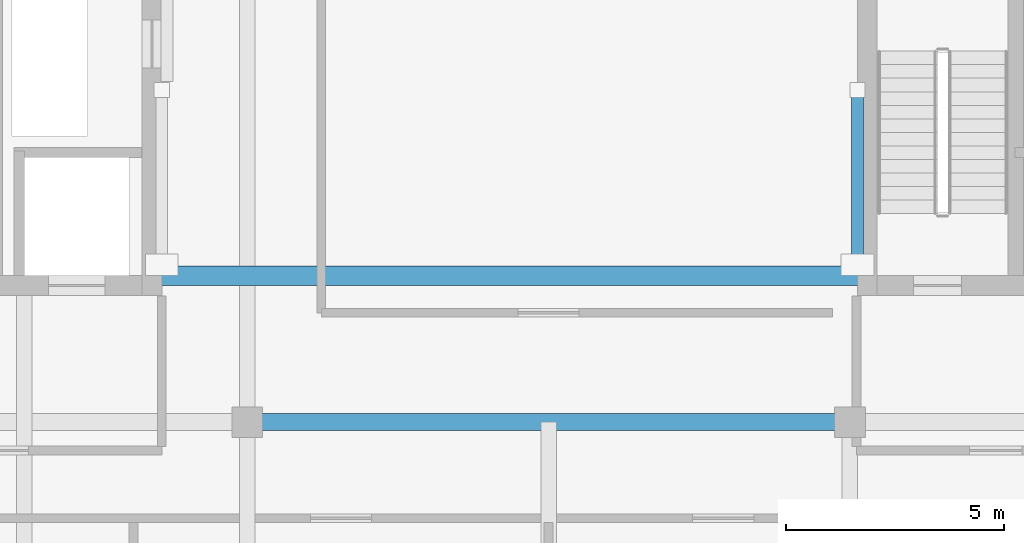
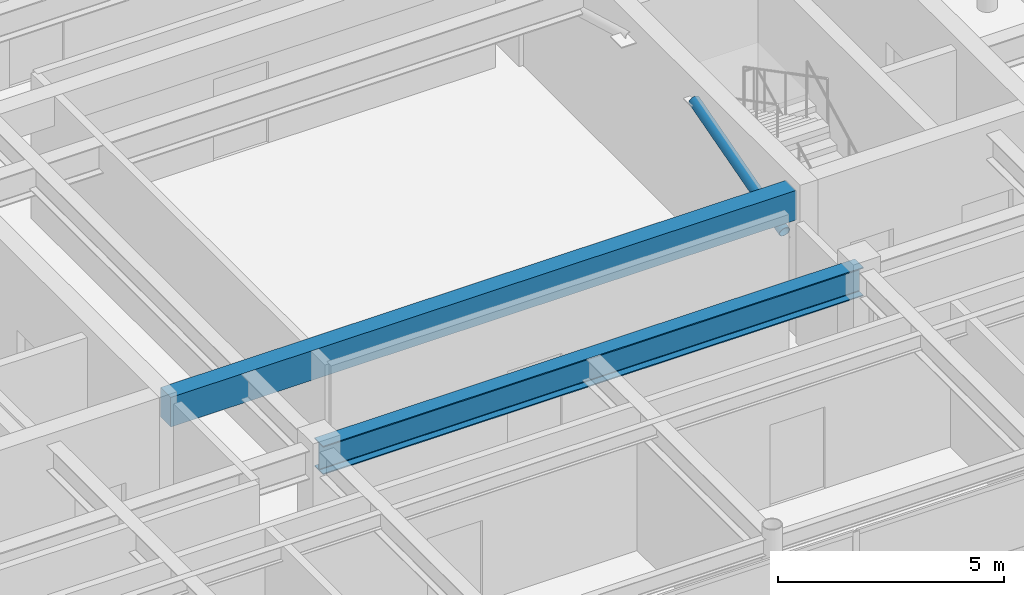
# One storey, part 10 of 32: 2 beams, 1 member.
"""IFC4 building model written with IfcOpenShell, lengths in metres."""

import ifcopenshell
import ifcopenshell.guid

model = None  # the IFC model being written
_history = None  # IfcOwnerHistory: only IFC2X3 demands one
_inside = {}  # id of a spatial element -> (the spatial element, [elements in it])
_under = {}  # id of a project, library or spatial element -> (it, [spatial elements below it])
_declared = {}  # id of a project -> (the project, [libraries it declares])
_typed = {}  # id of a type object -> (the type object, [elements of that type])
_made_of = {}  # id of a material, layer set ... -> (it, [elements and type objects made of it])


def new_model(schema):
    """Start an empty IFC model of exactly this schema.

    Asked for "IFC4X3", IfcOpenShell would pick the latest addendum, in which some entities
    have other attributes; the version numbers below select the first issue.
    IFC2X3 requires an IfcOwnerHistory on every rooted entity: one is made here for all.
    """
    global model, _history
    if schema == "IFC4X3":
        model = ifcopenshell.file(schema_version=(4, 3, 0, 0))
    else:
        model = ifcopenshell.file(schema=schema)
    _inside.clear()
    _under.clear()
    _declared.clear()
    _typed.clear()
    _made_of.clear()
    _history = None
    if model.schema == "IFC2X3":
        org = make("IfcOrganization", Name="unknown")
        user = make(
            "IfcPersonAndOrganization",
            ThePerson=make("IfcPerson", FamilyName="unknown"),
            TheOrganization=org,
        )
        app = make(
            "IfcApplication",
            ApplicationDeveloper=org,
            Version="unknown",
            ApplicationFullName="unknown",
            ApplicationIdentifier="unknown",
        )
        _history = make(
            "IfcOwnerHistory",
            OwningUser=user,
            OwningApplication=app,
            ChangeAction="ADDED",
            CreationDate=0,
        )
    return model


def make(cls, **values):
    """One entity of the class cls with the attributes given. An attribute that is None is left unset."""
    return model.create_entity(
        cls, **{name: value for name, value in values.items() if value is not None}
    )


def rooted(cls, **values):
    """An entity with a GlobalId (a new one), such as an element, a storey or a relation."""
    return make(cls, GlobalId=ifcopenshell.guid.new(), OwnerHistory=_history, **values)


def si_unit(unit_type, name, prefix=None):
    """IfcSIUnit, for example si_unit("LENGTHUNIT", "METRE", prefix="MILLI")."""
    return make("IfcSIUnit", UnitType=unit_type, Prefix=prefix, Name=name)


def assignment(units):
    """IfcUnitAssignment: the units of a project."""
    return None if units is None else make("IfcUnitAssignment", Units=units)


def point(xyz):
    """IfcCartesianPoint."""
    return None if xyz is None else make("IfcCartesianPoint", Coordinates=xyz)


def direction(xyz):
    """IfcDirection."""
    return None if xyz is None else make("IfcDirection", DirectionRatios=xyz)


def frame(location, z_axis=None, x_axis=None):
    """IfcAxis2Placement3D, a coordinate frame: its origin and axes. An axis left out is left unset."""
    return make(
        "IfcAxis2Placement3D",
        Location=point(location),
        Axis=direction(z_axis),
        RefDirection=direction(x_axis),
    )


def frame_2d(location, x_axis=None):
    """IfcAxis2Placement2D, a coordinate frame in the plane: its origin and x axis."""
    return make(
        "IfcAxis2Placement2D", Location=point(location), RefDirection=direction(x_axis)
    )


def origin():
    """The frame at (0, 0, 0) with its axes left unset."""
    return frame((0.0, 0.0, 0.0))


def origin_2d():
    """The frame at (0, 0) in the plane with its x axis left unset."""
    return frame_2d((0.0, 0.0))


def place(relative_to, where):
    """IfcLocalPlacement: puts the frame where relative to a parent placement (None: the world)."""
    return make(
        "IfcLocalPlacement", PlacementRelTo=relative_to, RelativePlacement=where
    )


def context(
    kind, dimensions, precision=None, world=None, true_north=None, identifier=None
):
    """IfcGeometricRepresentationContext, for example the 3D "Model" context."""
    return make(
        "IfcGeometricRepresentationContext",
        ContextIdentifier=identifier,
        ContextType=kind,
        CoordinateSpaceDimension=dimensions,
        Precision=precision,
        WorldCoordinateSystem=world,
        TrueNorth=true_north,
    )


def subcontext(parent, identifier, kind, view, scale=None):
    """IfcGeometricRepresentationSubContext, for example "Body" below "Model"."""
    return make(
        "IfcGeometricRepresentationSubContext",
        ContextIdentifier=identifier,
        ContextType=kind,
        ParentContext=parent,
        TargetScale=scale,
        TargetView=view,
    )


def project(units=None, contexts=None):
    """IfcProject with its units and contexts."""
    return rooted(
        "IfcProject",
        Name="project",
        RepresentationContexts=contexts,
        UnitsInContext=assignment(units),
    )


def spatial(cls, under=None, at=None, **own):
    """A site, building, storey or space (cls), placed at a placement, below another one or the project."""
    s = rooted(cls, ObjectPlacement=at, **own)
    if under is not None:
        _under.setdefault(under.id(), (under, []))[1].append(s)
    return s


def profile(cls, at=None, kind="AREA", **sizes):
    """A parametric profile (cls). Its sizes go by their IFC names, for example OverallWidth=200.0."""
    return make(cls, ProfileType=kind, Position=at, **sizes)


def rectangle(**sizes):
    """IfcRectangleProfileDef."""
    return profile("IfcRectangleProfileDef", **sizes)


def hollow_circle(**sizes):
    """IfcCircleHollowProfileDef."""
    return profile("IfcCircleHollowProfileDef", **sizes)


def i_section(**sizes):
    """IfcIShapeProfileDef."""
    return profile("IfcIShapeProfileDef", **sizes)


def extrude(swept, where, along, depth):
    """IfcExtrudedAreaSolid: the profile swept, set in the frame where, extruded along a direction by depth."""
    return make(
        "IfcExtrudedAreaSolid",
        SweptArea=swept,
        Position=where,
        ExtrudedDirection=direction(along),
        Depth=depth,
    )


def shape(context_of_items, identifier, shape_type, items):
    """IfcShapeRepresentation: the items that make up one representation, for example the "Body"."""
    return make(
        "IfcShapeRepresentation",
        ContextOfItems=context_of_items,
        RepresentationIdentifier=identifier,
        RepresentationType=shape_type,
        Items=items,
    )


def source(mapping_origin, context_of_items, identifier, shape_type, items):
    """IfcRepresentationMap: a shape defined once, which mapped items show again and again."""
    return make(
        "IfcRepresentationMap",
        MappingOrigin=mapping_origin,
        MappedRepresentation=shape(context_of_items, identifier, shape_type, items),
    )


def transform(
    local_origin,
    x_axis=None,
    y_axis=None,
    z_axis=None,
    scale=None,
    scale2=None,
    scale3=None,
    uniform=True,
):
    """IfcCartesianTransformationOperator3D, or its non-uniform kind. x_axis, y_axis, z_axis: its Axis1, 2, 3."""
    if uniform:
        return make(
            "IfcCartesianTransformationOperator3D",
            Axis1=direction(x_axis),
            Axis2=direction(y_axis),
            LocalOrigin=point(local_origin),
            Scale=scale,
            Axis3=direction(z_axis),
        )
    return make(
        "IfcCartesianTransformationOperator3DnonUniform",
        Axis1=direction(x_axis),
        Axis2=direction(y_axis),
        LocalOrigin=point(local_origin),
        Scale=scale,
        Axis3=direction(z_axis),
        Scale2=scale2,
        Scale3=scale3,
    )


def mapped(mapping_source, mapping_target):
    """IfcMappedItem: shows the shape of a source again, moved by a transform."""
    return make(
        "IfcMappedItem", MappingSource=mapping_source, MappingTarget=mapping_target
    )


def material(Name=None, Category=None):
    """IfcMaterial."""
    return make("IfcMaterial", Name=Name, Category=Category)


def material_profile(
    of_material, cross_section, Name=None, Category=None, Priority=None
):
    """IfcMaterialProfile: a cross section and its material."""
    return make(
        "IfcMaterialProfile",
        Name=Name,
        Material=of_material,
        Profile=cross_section,
        Priority=Priority,
        Category=Category,
    )


def profile_set(profiles, Name=None, composite=None):
    """IfcMaterialProfileSet."""
    return make(
        "IfcMaterialProfileSet",
        Name=Name,
        MaterialProfiles=profiles,
        CompositeProfile=composite,
    )


def made_of(thing, what):
    """Note that an element or type object is made of a material, layer set ...; save() writes the relation."""
    if what is not None:
        _made_of.setdefault(what.id(), (what, []))[1].append(thing)
    return thing


def type_object(cls, material=None, **own):
    """A type object (cls), such as IfcWallType, which elements share."""
    return made_of(rooted(cls, **own), material)


def element(
    cls,
    number,
    at=None,
    inside=None,
    cuts=None,
    type_object=None,
    material=None,
    context=None,
    identifier="Body",
    shape_type=None,
    held_by="IfcProductDefinitionShape",
    body=None,
    shapes=None,
    **own,
):
    """One element of the class cls, such as IfcWall. Its Tag is "e" and its number.

    at: its placement. inside: the storey or other place that contains it. cuts: it is an
    opening in that element (IfcRelVoidsElement). A single representation is given by context,
    identifier, shape_type and body (its items); several are given by shapes. held_by: the class
    of the entity that holds the representations. save() writes the other relations.
    """
    e = rooted(cls, Tag="e%d" % number, ObjectPlacement=at, **own)
    if body is not None:
        shapes = [shape(context, identifier, shape_type, body)]
    if shapes is not None:
        e.Representation = make(held_by, Representations=shapes)
    if inside is not None:
        _inside.setdefault(inside.id(), (inside, []))[1].append(e)
    if cuts is not None:
        rooted(
            "IfcRelVoidsElement", RelatingBuildingElement=cuts, RelatedOpeningElement=e
        )
    if type_object is not None:
        _typed.setdefault(type_object.id(), (type_object, []))[1].append(e)
    return made_of(e, material)


def aggregate(whole, parts):
    """IfcRelAggregates: a whole, such as a stair, and the parts it consists of."""
    return rooted("IfcRelAggregates", RelatingObject=whole, RelatedObjects=parts)


def save(model, path):
    """Write the relations noted so far, then the file.

    IfcRelAggregates (storeys below a building ...), IfcRelContainedInSpatialStructure (elements
    in a storey), IfcRelDefinesByType, IfcRelAssociatesMaterial and IfcRelDeclares: one each for
    every whole, place, type object, material and project.
    """
    for whole, parts in _under.values():
        aggregate(whole, parts)
    for where, things in _inside.values():
        rooted(
            "IfcRelContainedInSpatialStructure",
            RelatedElements=things,
            RelatingStructure=where,
        )
    for kind, things in _typed.values():
        rooted("IfcRelDefinesByType", RelatedObjects=things, RelatingType=kind)
    for what, things in _made_of.values():
        rooted("IfcRelAssociatesMaterial", RelatedObjects=things, RelatingMaterial=what)
    for by, libraries in _declared.values():
        rooted("IfcRelDeclares", RelatingContext=by, RelatedDefinitions=libraries)
    model.write(path)


model = new_model("IFC4")

# Units and contexts
model_context = context("Model", 3, precision=1e-05, world=origin(), true_north=direction((0.0, 1.0)))
body_context = subcontext(model_context, "Body", "Model", "MODEL_VIEW")
ifc_project = project(units=[si_unit("LENGTHUNIT", "METRE"), si_unit("AREAUNIT", "SQUARE_METRE"), si_unit("VOLUMEUNIT", "CUBIC_METRE"), si_unit("PLANEANGLEUNIT", "RADIAN"), si_unit("MASSUNIT", "GRAM", prefix="KILO")], contexts=[model_context])

# Site, building, storey
site_placement = place(None, origin())
site = spatial("IfcSite", under=ifc_project, at=site_placement, CompositionType="ELEMENT")
building_placement = place(site_placement, origin())
building = spatial("IfcBuilding", under=site, at=building_placement, Name="Khoralis Quay Care Tower", CompositionType="ELEMENT")
storey_placement = place(building_placement, frame((0.0, 0.0, 310.5)))
storey = spatial("IfcBuildingStorey", under=building, at=storey_placement, Name="L81", CompositionType="ELEMENT", Elevation=310.5)

# Beams
ifc_material_1 = material(Name="Concrete C50/60", Category="concrete")
ifc_material_profile_1 = material_profile(ifc_material_1, rectangle(XDim=0.449951171875, YDim=0.800048828125, at=origin_2d()), Name="Concrete C50/60")
ifc_profile_set_1 = profile_set([ifc_material_profile_1], Name="Concrete C50/60")
beam_type_1 = type_object("IfcBeamType", Name="CB-RC450X800", PredefinedType="LINTEL", material=ifc_profile_set_1)
shared_shape_1 = source(origin(), body_context, "Body", "SweptSolid", [
    extrude(rectangle(XDim=0.449951171875, YDim=0.800048828125, at=origin_2d()), origin(), (0.0, 0.0, 1.0), 15.97998046875),
])
beam_1_placement = place(storey_placement, frame((15.1201171875, 15.35009765625, 3.52001953125), z_axis=(1.0, 0.0, 0.0), x_axis=(0.0, 1.0, 0.0)))
element("IfcBeam", 1, at=beam_1_placement, inside=storey, type_object=beam_type_1, Name="L81 South Core Coupling Lintel", PredefinedType="LINTEL", context=body_context, shape_type="MappedRepresentation", body=[
    mapped(shared_shape_1, transform((0.0, 0.0, 0.0), scale=1.0)),
])
ifc_material_2 = material(Name="Steel S355", Category="steel")
ifc_material_profile_2 = material_profile(ifc_material_2, i_section(OverallWidth=0.381103515625, OverallDepth=0.77294921875, WebThickness=0.0166015625, FlangeThickness=0.027587890625, FilletRadius=0.02197265625, at=origin_2d()), Name="Steel S355")
ifc_profile_set_2 = profile_set([ifc_material_profile_2], Name="Steel S355")
beam_type_2 = type_object("IfcBeamType", Name="BM-W760X257", PredefinedType="BEAM", material=ifc_profile_set_2)
shared_shape_2 = source(origin(), body_context, "Body", "SweptSolid", [
    extrude(i_section(OverallWidth=0.381103515625, OverallDepth=0.77294921875, WebThickness=0.0166015625, FlangeThickness=0.027587890625, FilletRadius=0.02197265625, at=origin_2d()), origin(), (0.0, 0.0, 1.0), 13.7998046875),
])
beam_2_placement = place(storey_placement, frame((17.10009765625, 12.0, 3.533447265625), z_axis=(1.0, 0.0, 0.0), x_axis=(0.0, 1.0, 0.0)))
element("IfcBeam", 2, at=beam_2_placement, inside=storey, type_object=beam_type_2, Name="BM-TGCC-L81-120", PredefinedType="BEAM", context=body_context, shape_type="MappedRepresentation", body=[
    mapped(shared_shape_2, transform((0.0, 0.0, 0.0), scale=1.0)),
])

# Member
ifc_material_profile_3 = material_profile(ifc_material_2, hollow_circle(Radius=0.136474609375, WallThickness=0.012451171875, at=origin_2d()), Name="Steel S355")
ifc_profile_set_3 = profile_set([ifc_material_profile_3], Name="Steel S355")
member_type = type_object("IfcMemberType", Name="ST-CHS273X12", PredefinedType="STRUT", material=ifc_profile_set_3)
shared_shape_3 = source(origin(), body_context, "Body", "SweptSolid", [
    extrude(hollow_circle(Radius=0.136474609375, WallThickness=0.012451171875, at=origin_2d()), origin(), (0.0, 0.0, 1.0), 4.156494140625),
])
member_placement = place(storey_placement, frame((31.072021484375, 15.60009765625, 2.52001953125), z_axis=(0.0, 0.962344148942, 0.2718340284), x_axis=(-1.0, 0.0, 0.0)))
element("IfcMember", 3, at=member_placement, inside=storey, type_object=member_type, Name="L81 Lantern Diagrid Strut 3", PredefinedType="STRUT", context=body_context, shape_type="MappedRepresentation", body=[
    mapped(shared_shape_3, transform((0.0, 0.0, 0.0), scale=1.0)),
])

save(model, "model.ifc")
